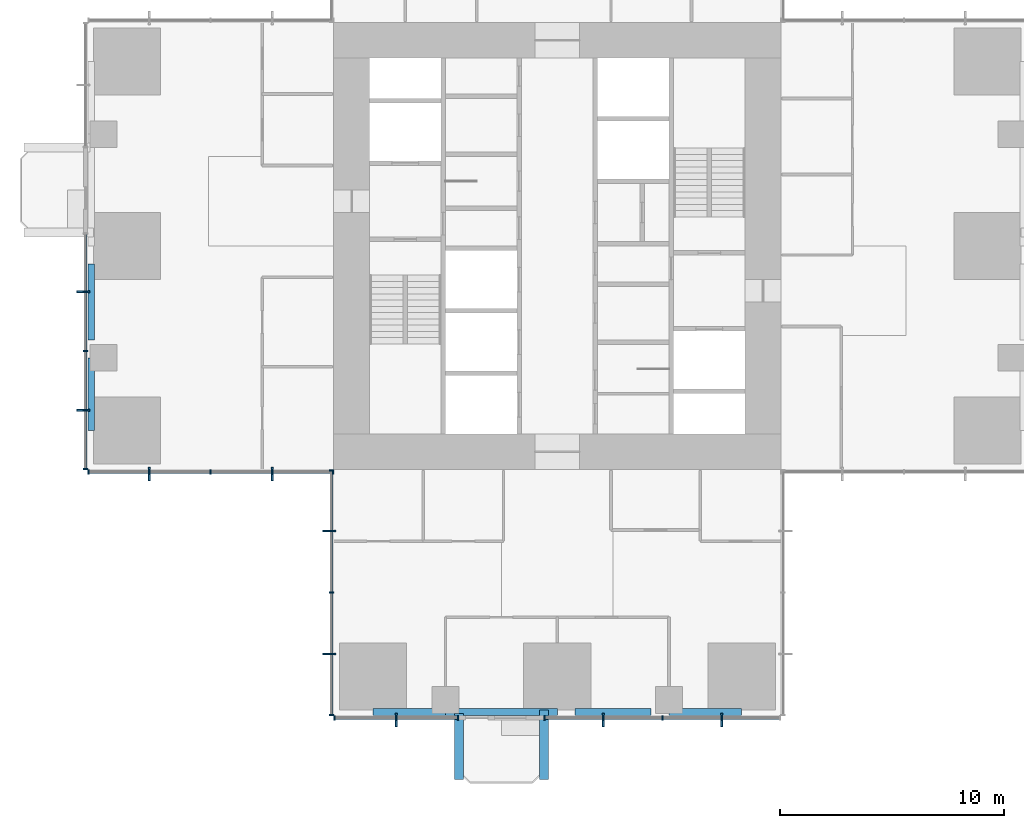
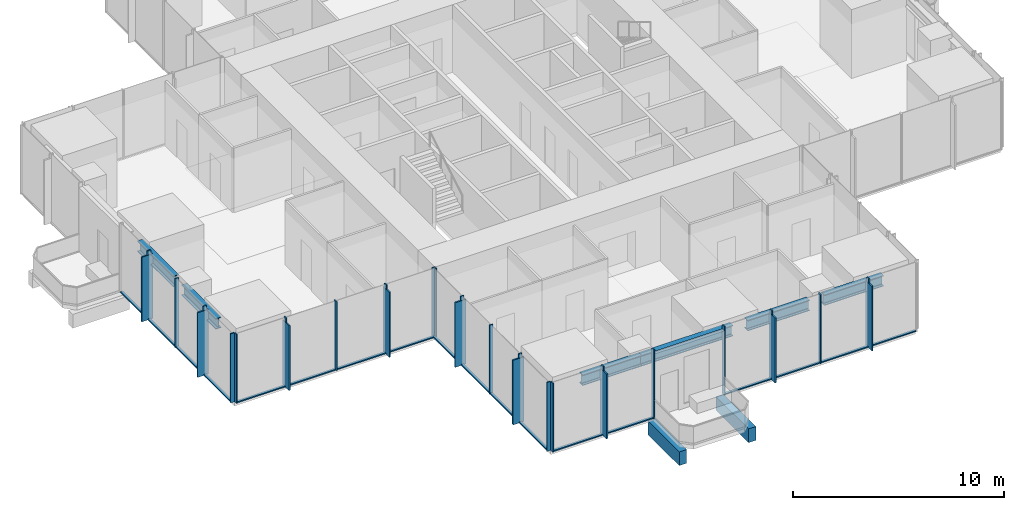
# One storey, part 2 of 13: 48 members, 8 beams, 5 elements without a shape of their own.
"""IFC4 building model written with IfcOpenShell, lengths in metres."""

from ifc_helpers import new_model, si_unit, direction, frame, origin, origin_2d, place, context, subcontext, project, spatial, rectangle, i_section, extrude, material, material_profile, profile_set, type_object, element, aggregate, save


model = new_model("IFC4")

# Units and contexts
model_context = context("Model", 3, precision=1e-05, world=origin(), true_north=direction((0.0, 1.0)))
body_context = subcontext(model_context, "Body", "Model", "MODEL_VIEW")
ifc_project = project(units=[si_unit("LENGTHUNIT", "METRE"), si_unit("AREAUNIT", "SQUARE_METRE"), si_unit("VOLUMEUNIT", "CUBIC_METRE"), si_unit("PLANEANGLEUNIT", "RADIAN"), si_unit("MASSUNIT", "GRAM", prefix="KILO")], contexts=[model_context])

# Site, building, storey
site_placement = place(None, origin())
site = spatial("IfcSite", under=ifc_project, at=site_placement, CompositionType="ELEMENT")
building_placement = place(site_placement, origin())
building = spatial("IfcBuilding", under=site, at=building_placement, Name="Svetlomir Tower", CompositionType="ELEMENT")
storey_placement = place(building_placement, frame((0.0, 0.0, 124.5)))
storey = spatial("IfcBuildingStorey", under=building, at=storey_placement, Name="L29", CompositionType="ELEMENT", Elevation=124.5)

# Beams
ifc_material_1 = material(Name="Concrete C60/75", Category="concrete")
ifc_material_profile_1 = material_profile(ifc_material_1, rectangle(XDim=0.39990234375, YDim=0.800048828125, at=origin_2d()), Name="RC 400x800")
ifc_profile_set_1 = profile_set([ifc_material_profile_1], Name="Concrete C60/75")
beam_type_1 = type_object("IfcBeamType", Name="BALCONY RIB RC 400x800", PredefinedType="BEAM", material=ifc_profile_set_1)
beam_1_placement = place(storey_placement, frame((16.60009765625, 0.10009765625, -0.64990234375), z_axis=(0.0, -1.0, 0.0), x_axis=(1.0, 0.0, 0.0)))
element("IfcBeam", 1, at=beam_1_placement, inside=storey, type_object=beam_type_1, Name="Balcony rib S 1 L29", PredefinedType="BEAM", context=body_context, shape_type="SweptSolid", body=[
    extrude(rectangle(XDim=0.39990234375, YDim=0.800048828125, at=origin_2d()), origin(), (0.0, 0.0, 1.0), 2.9501953125),
])
beam_2_placement = place(storey_placement, frame((20.39990234375, 0.25, -0.64990234375), z_axis=(0.0, -1.0, 0.0), x_axis=(1.0, 0.0, 0.0)))
element("IfcBeam", 2, at=beam_2_placement, inside=storey, type_object=beam_type_1, Name="Balcony rib S 2 L29", PredefinedType="BEAM", context=body_context, shape_type="SweptSolid", body=[
    extrude(rectangle(XDim=0.39990234375, YDim=0.800048828125, at=origin_2d()), origin(), (0.0, 0.0, 1.0), 3.10009765625),
])

# Curtain wall, member
ifc_material_2 = material(Name="Bronze anodised aluminium curtain wall", Category="aluminium")
curtain_wall_type = type_object("IfcCurtainWallType", Name="CURTAIN WALL CW1 TOWER OFFICE", PredefinedType="NOTDEFINED", material=ifc_material_2)
curtain_wall_1_placement = place(storey_placement, origin())
curtain_wall_1 = element("IfcCurtainWall", 3, at=curtain_wall_1_placement, inside=storey, type_object=curtain_wall_type, Name="Curtain wall CW1 L29", PredefinedType="NOTDEFINED")
ifc_material_3 = material(Name="Bronze anodised aluminium", Category="aluminium")
ifc_material_profile_2 = material_profile(ifc_material_3, rectangle(XDim=0.080078125, YDim=0.60009765625, at=origin_2d()), Name="FIN 80x600")
ifc_profile_set_2 = profile_set([ifc_material_profile_2], Name="Bronze anodised aluminium 6063-T6")
member_type_1 = type_object("IfcMemberType", Name="BRONZE FIN 80x600", PredefinedType="USERDEFINED", material=ifc_profile_set_2)
member_1_placement = place(storey_placement, frame((13.800048828125, -0.199951171875, 0.0), z_axis=(0.0, 0.0, 1.0), x_axis=(1.0, 0.0, 0.0)))
member_1 = element("IfcMember", 4, at=member_1_placement, type_object=member_type_1, Name="Bronze fin L29", ObjectType="FIN", PredefinedType="USERDEFINED", context=body_context, shape_type="SweptSolid", body=[
    extrude(rectangle(XDim=0.080078125, YDim=0.60009765625, at=origin_2d()), origin(), (0.0, 0.0, 1.0), 3.75),
])

# Curtain wall, members
curtain_wall_2_placement = place(storey_placement, origin())
curtain_wall_2 = element("IfcCurtainWall", 5, at=curtain_wall_2_placement, inside=storey, type_object=curtain_wall_type, Name="Curtain wall CW1 L29", PredefinedType="NOTDEFINED")
member_2_placement = place(storey_placement, frame((23.050048828125, -0.199951171875, 0.0), z_axis=(0.0, 0.0, 1.0), x_axis=(1.0, 0.0, 0.0)))
member_2 = element("IfcMember", 6, at=member_2_placement, type_object=member_type_1, Name="Bronze fin L29", ObjectType="FIN", PredefinedType="USERDEFINED", context=body_context, shape_type="SweptSolid", body=[
    extrude(rectangle(XDim=0.080078125, YDim=0.60009765625, at=origin_2d()), origin(), (0.0, 0.0, 1.0), 3.75),
])
member_3_placement = place(storey_placement, frame((28.35009765625, -0.199951171875, 0.0), z_axis=(0.0, 0.0, 1.0), x_axis=(1.0, 0.0, 0.0)))
member_3 = element("IfcMember", 7, at=member_3_placement, type_object=member_type_1, Name="Bronze fin L29", ObjectType="FIN", PredefinedType="USERDEFINED", context=body_context, shape_type="SweptSolid", body=[
    extrude(rectangle(XDim=0.080078125, YDim=0.60009765625, at=origin_2d()), origin(), (0.0, 0.0, 1.0), 3.75),
])

curtain_wall_3_placement = place(storey_placement, origin())
curtain_wall_3 = element("IfcCurtainWall", 8, at=curtain_wall_3_placement, inside=storey, type_object=curtain_wall_type, Name="Curtain wall CW1 L29", PredefinedType="NOTDEFINED")
member_4_placement = place(storey_placement, frame((-0.199951171875, 18.949951171875, 0.0), z_axis=(0.0, 0.0, 1.0), x_axis=(0.0, 1.0, 0.0)))
member_4 = element("IfcMember", 9, at=member_4_placement, type_object=member_type_1, Name="Bronze fin L29", ObjectType="FIN", PredefinedType="USERDEFINED", context=body_context, shape_type="SweptSolid", body=[
    extrude(rectangle(XDim=0.080078125, YDim=0.60009765625, at=origin_2d()), origin(), (0.0, 0.0, 1.0), 3.75),
])
member_5_placement = place(storey_placement, frame((-0.199951171875, 13.64990234375, 0.0), z_axis=(0.0, 0.0, 1.0), x_axis=(0.0, 1.0, 0.0)))
member_5 = element("IfcMember", 10, at=member_5_placement, type_object=member_type_1, Name="Bronze fin L29", ObjectType="FIN", PredefinedType="USERDEFINED", context=body_context, shape_type="SweptSolid", body=[
    extrude(rectangle(XDim=0.080078125, YDim=0.60009765625, at=origin_2d()), origin(), (0.0, 0.0, 1.0), 3.75),
])

curtain_wall_4_placement = place(storey_placement, origin())
curtain_wall_4 = element("IfcCurtainWall", 11, at=curtain_wall_4_placement, inside=storey, type_object=curtain_wall_type, Name="Curtain wall CW1 L29", PredefinedType="NOTDEFINED")
member_6_placement = place(storey_placement, frame((2.75, 10.800048828125, 0.0), z_axis=(0.0, 0.0, 1.0), x_axis=(1.0, 0.0, 0.0)))
member_6 = element("IfcMember", 12, at=member_6_placement, type_object=member_type_1, Name="Bronze fin L29", ObjectType="FIN", PredefinedType="USERDEFINED", context=body_context, shape_type="SweptSolid", body=[
    extrude(rectangle(XDim=0.080078125, YDim=0.60009765625, at=origin_2d()), origin(), (0.0, 0.0, 1.0), 3.75),
])
member_7_placement = place(storey_placement, frame((8.25, 10.800048828125, 0.0), z_axis=(0.0, 0.0, 1.0), x_axis=(1.0, 0.0, 0.0)))
member_7 = element("IfcMember", 13, at=member_7_placement, type_object=member_type_1, Name="Bronze fin L29", ObjectType="FIN", PredefinedType="USERDEFINED", context=body_context, shape_type="SweptSolid", body=[
    extrude(rectangle(XDim=0.080078125, YDim=0.60009765625, at=origin_2d()), origin(), (0.0, 0.0, 1.0), 3.75),
])

curtain_wall_5_placement = place(storey_placement, origin())
curtain_wall_5 = element("IfcCurtainWall", 14, at=curtain_wall_5_placement, inside=storey, type_object=curtain_wall_type, Name="Curtain wall CW1 L29", PredefinedType="NOTDEFINED")
member_8_placement = place(storey_placement, frame((10.800048828125, 8.25, 0.0), z_axis=(0.0, 0.0, 1.0), x_axis=(0.0, 1.0, 0.0)))
member_8 = element("IfcMember", 15, at=member_8_placement, type_object=member_type_1, Name="Bronze fin L29", ObjectType="FIN", PredefinedType="USERDEFINED", context=body_context, shape_type="SweptSolid", body=[
    extrude(rectangle(XDim=0.080078125, YDim=0.60009765625, at=origin_2d()), origin(), (0.0, 0.0, 1.0), 3.75),
])
member_9_placement = place(storey_placement, frame((10.800048828125, 2.75, 0.0), z_axis=(0.0, 0.0, 1.0), x_axis=(0.0, 1.0, 0.0)))
member_9 = element("IfcMember", 16, at=member_9_placement, type_object=member_type_1, Name="Bronze fin L29", ObjectType="FIN", PredefinedType="USERDEFINED", context=body_context, shape_type="SweptSolid", body=[
    extrude(rectangle(XDim=0.080078125, YDim=0.60009765625, at=origin_2d()), origin(), (0.0, 0.0, 1.0), 3.75),
])

# Member
ifc_material_4 = material(Name="Bronze anodised aluminium", Category="aluminium")
ifc_material_profile_3 = material_profile(ifc_material_4, rectangle(XDim=0.06494140625, YDim=0.199951171875, at=origin_2d()), Name="AL 65x200")
ifc_profile_set_3 = profile_set([ifc_material_profile_3], Name="Bronze anodised aluminium 6063-T6")
member_type_2 = type_object("IfcMemberType", Name="CW1 MULLION 65x200", PredefinedType="MULLION", material=ifc_profile_set_3)
member_10_placement = place(storey_placement, frame((11.032470703125, -0.10009765625, 0.0), z_axis=(0.0, 0.0, 1.0), x_axis=(1.0, 0.0, 0.0)))
member_10 = element("IfcMember", 17, at=member_10_placement, type_object=member_type_2, Name="CW1 mullion 1", PredefinedType="MULLION", context=body_context, shape_type="SweptSolid", body=[
    extrude(rectangle(XDim=0.06494140625, YDim=0.199951171875, at=origin_2d()), origin(), (0.0, 0.0, 1.0), 4.0),
])

member_11_placement = place(storey_placement, frame((13.800048828125, -0.10009765625, 0.0), z_axis=(0.0, 0.0, 1.0), x_axis=(1.0, 0.0, 0.0)))
member_11 = element("IfcMember", 18, at=member_11_placement, type_object=member_type_2, Name="CW1 mullion 2", PredefinedType="MULLION", context=body_context, shape_type="SweptSolid", body=[
    extrude(rectangle(XDim=0.06494140625, YDim=0.199951171875, at=origin_2d()), origin(), (0.0, 0.0, 1.0), 4.0),
])

member_12_placement = place(storey_placement, frame((16.5673828125, -0.10009765625, 0.0), z_axis=(0.0, 0.0, 1.0), x_axis=(1.0, 0.0, 0.0)))
member_12 = element("IfcMember", 19, at=member_12_placement, type_object=member_type_2, Name="CW1 mullion 3", PredefinedType="MULLION", context=body_context, shape_type="SweptSolid", body=[
    extrude(rectangle(XDim=0.06494140625, YDim=0.199951171875, at=origin_2d()), origin(), (0.0, 0.0, 1.0), 4.0),
])

member_13_placement = place(storey_placement, frame((20.4326171875, -0.10009765625, 0.0), z_axis=(0.0, 0.0, 1.0), x_axis=(1.0, 0.0, 0.0)))
member_13 = element("IfcMember", 20, at=member_13_placement, type_object=member_type_2, Name="CW1 mullion 1", PredefinedType="MULLION", context=body_context, shape_type="SweptSolid", body=[
    extrude(rectangle(XDim=0.06494140625, YDim=0.199951171875, at=origin_2d()), origin(), (0.0, 0.0, 1.0), 4.0),
])

member_14_placement = place(storey_placement, frame((23.050048828125, -0.10009765625, 0.0), z_axis=(0.0, 0.0, 1.0), x_axis=(1.0, 0.0, 0.0)))
member_14 = element("IfcMember", 21, at=member_14_placement, type_object=member_type_2, Name="CW1 mullion 2", PredefinedType="MULLION", context=body_context, shape_type="SweptSolid", body=[
    extrude(rectangle(XDim=0.06494140625, YDim=0.199951171875, at=origin_2d()), origin(), (0.0, 0.0, 1.0), 4.0),
])

member_15_placement = place(storey_placement, frame((25.699951171875, -0.10009765625, 0.0), z_axis=(0.0, 0.0, 1.0), x_axis=(1.0, 0.0, 0.0)))
member_15 = element("IfcMember", 22, at=member_15_placement, type_object=member_type_2, Name="CW1 mullion 3", PredefinedType="MULLION", context=body_context, shape_type="SweptSolid", body=[
    extrude(rectangle(XDim=0.06494140625, YDim=0.199951171875, at=origin_2d()), origin(), (0.0, 0.0, 1.0), 4.0),
])

member_16_placement = place(storey_placement, frame((28.35009765625, -0.10009765625, 0.0), z_axis=(0.0, 0.0, 1.0), x_axis=(1.0, 0.0, 0.0)))
member_16 = element("IfcMember", 23, at=member_16_placement, type_object=member_type_2, Name="CW1 mullion 4", PredefinedType="MULLION", context=body_context, shape_type="SweptSolid", body=[
    extrude(rectangle(XDim=0.06494140625, YDim=0.199951171875, at=origin_2d()), origin(), (0.0, 0.0, 1.0), 4.0),
])

member_17_placement = place(storey_placement, frame((-0.10009765625, 18.949951171875, 0.0), z_axis=(0.0, 0.0, 1.0), x_axis=(0.0, -1.0, 0.0)))
member_17 = element("IfcMember", 24, at=member_17_placement, type_object=member_type_2, Name="CW1 mullion 2", PredefinedType="MULLION", context=body_context, shape_type="SweptSolid", body=[
    extrude(rectangle(XDim=0.06494140625, YDim=0.199951171875, at=origin_2d()), origin(), (0.0, 0.0, 1.0), 4.0),
])

member_18_placement = place(storey_placement, frame((-0.10009765625, 16.300048828125, 0.0), z_axis=(0.0, 0.0, 1.0), x_axis=(0.0, -1.0, 0.0)))
member_18 = element("IfcMember", 25, at=member_18_placement, type_object=member_type_2, Name="CW1 mullion 3", PredefinedType="MULLION", context=body_context, shape_type="SweptSolid", body=[
    extrude(rectangle(XDim=0.06494140625, YDim=0.199951171875, at=origin_2d()), origin(), (0.0, 0.0, 1.0), 4.0),
])

member_19_placement = place(storey_placement, frame((-0.10009765625, 13.64990234375, 0.0), z_axis=(0.0, 0.0, 1.0), x_axis=(0.0, -1.0, 0.0)))
member_19 = element("IfcMember", 26, at=member_19_placement, type_object=member_type_2, Name="CW1 mullion 4", PredefinedType="MULLION", context=body_context, shape_type="SweptSolid", body=[
    extrude(rectangle(XDim=0.06494140625, YDim=0.199951171875, at=origin_2d()), origin(), (0.0, 0.0, 1.0), 4.0),
])

member_20_placement = place(storey_placement, frame((-0.10009765625, 11.032470703125, 0.0), z_axis=(0.0, 0.0, 1.0), x_axis=(0.0, -1.0, 0.0)))
member_20 = element("IfcMember", 27, at=member_20_placement, type_object=member_type_2, Name="CW1 mullion 5", PredefinedType="MULLION", context=body_context, shape_type="SweptSolid", body=[
    extrude(rectangle(XDim=0.06494140625, YDim=0.199951171875, at=origin_2d()), origin(), (0.0, 0.0, 1.0), 4.0),
])

member_21_placement = place(storey_placement, frame((0.032470703125, 10.89990234375, 0.0), z_axis=(0.0, 0.0, 1.0), x_axis=(1.0, 0.0, 0.0)))
member_21 = element("IfcMember", 28, at=member_21_placement, type_object=member_type_2, Name="CW1 mullion 1", PredefinedType="MULLION", context=body_context, shape_type="SweptSolid", body=[
    extrude(rectangle(XDim=0.06494140625, YDim=0.199951171875, at=origin_2d()), origin(), (0.0, 0.0, 1.0), 4.0),
])

member_22_placement = place(storey_placement, frame((2.75, 10.89990234375, 0.0), z_axis=(0.0, 0.0, 1.0), x_axis=(1.0, 0.0, 0.0)))
member_22 = element("IfcMember", 29, at=member_22_placement, type_object=member_type_2, Name="CW1 mullion 2", PredefinedType="MULLION", context=body_context, shape_type="SweptSolid", body=[
    extrude(rectangle(XDim=0.06494140625, YDim=0.199951171875, at=origin_2d()), origin(), (0.0, 0.0, 1.0), 4.0),
])

member_23_placement = place(storey_placement, frame((5.5, 10.89990234375, 0.0), z_axis=(0.0, 0.0, 1.0), x_axis=(1.0, 0.0, 0.0)))
member_23 = element("IfcMember", 30, at=member_23_placement, type_object=member_type_2, Name="CW1 mullion 3", PredefinedType="MULLION", context=body_context, shape_type="SweptSolid", body=[
    extrude(rectangle(XDim=0.06494140625, YDim=0.199951171875, at=origin_2d()), origin(), (0.0, 0.0, 1.0), 4.0),
])

member_24_placement = place(storey_placement, frame((8.25, 10.89990234375, 0.0), z_axis=(0.0, 0.0, 1.0), x_axis=(1.0, 0.0, 0.0)))
member_24 = element("IfcMember", 31, at=member_24_placement, type_object=member_type_2, Name="CW1 mullion 4", PredefinedType="MULLION", context=body_context, shape_type="SweptSolid", body=[
    extrude(rectangle(XDim=0.06494140625, YDim=0.199951171875, at=origin_2d()), origin(), (0.0, 0.0, 1.0), 4.0),
])

member_25_placement = place(storey_placement, frame((10.967529296875, 10.89990234375, 0.0), z_axis=(0.0, 0.0, 1.0), x_axis=(1.0, 0.0, 0.0)))
member_25 = element("IfcMember", 32, at=member_25_placement, type_object=member_type_2, Name="CW1 mullion 5", PredefinedType="MULLION", context=body_context, shape_type="SweptSolid", body=[
    extrude(rectangle(XDim=0.06494140625, YDim=0.199951171875, at=origin_2d()), origin(), (0.0, 0.0, 1.0), 4.0),
])

member_26_placement = place(storey_placement, frame((10.89990234375, 10.967529296875, 0.0), z_axis=(0.0, 0.0, 1.0), x_axis=(0.0, -1.0, 0.0)))
member_26 = element("IfcMember", 33, at=member_26_placement, type_object=member_type_2, Name="CW1 mullion 1", PredefinedType="MULLION", context=body_context, shape_type="SweptSolid", body=[
    extrude(rectangle(XDim=0.06494140625, YDim=0.199951171875, at=origin_2d()), origin(), (0.0, 0.0, 1.0), 4.0),
])

member_27_placement = place(storey_placement, frame((10.89990234375, 8.25, 0.0), z_axis=(0.0, 0.0, 1.0), x_axis=(0.0, -1.0, 0.0)))
member_27 = element("IfcMember", 34, at=member_27_placement, type_object=member_type_2, Name="CW1 mullion 2", PredefinedType="MULLION", context=body_context, shape_type="SweptSolid", body=[
    extrude(rectangle(XDim=0.06494140625, YDim=0.199951171875, at=origin_2d()), origin(), (0.0, 0.0, 1.0), 4.0),
])

member_28_placement = place(storey_placement, frame((10.89990234375, 5.5, 0.0), z_axis=(0.0, 0.0, 1.0), x_axis=(0.0, -1.0, 0.0)))
member_28 = element("IfcMember", 35, at=member_28_placement, type_object=member_type_2, Name="CW1 mullion 3", PredefinedType="MULLION", context=body_context, shape_type="SweptSolid", body=[
    extrude(rectangle(XDim=0.06494140625, YDim=0.199951171875, at=origin_2d()), origin(), (0.0, 0.0, 1.0), 4.0),
])

member_29_placement = place(storey_placement, frame((10.89990234375, 2.75, 0.0), z_axis=(0.0, 0.0, 1.0), x_axis=(0.0, -1.0, 0.0)))
member_29 = element("IfcMember", 36, at=member_29_placement, type_object=member_type_2, Name="CW1 mullion 4", PredefinedType="MULLION", context=body_context, shape_type="SweptSolid", body=[
    extrude(rectangle(XDim=0.06494140625, YDim=0.199951171875, at=origin_2d()), origin(), (0.0, 0.0, 1.0), 4.0),
])

member_30_placement = place(storey_placement, frame((10.89990234375, 0.032470703125, 0.0), z_axis=(0.0, 0.0, 1.0), x_axis=(0.0, -1.0, 0.0)))
member_30 = element("IfcMember", 37, at=member_30_placement, type_object=member_type_2, Name="CW1 mullion 5", PredefinedType="MULLION", context=body_context, shape_type="SweptSolid", body=[
    extrude(rectangle(XDim=0.06494140625, YDim=0.199951171875, at=origin_2d()), origin(), (0.0, 0.0, 1.0), 4.0),
])

ifc_material_5 = material(Name="Bronze anodised aluminium", Category="aluminium")
ifc_material_profile_4 = material_profile(ifc_material_5, rectangle(XDim=0.139892578125, YDim=0.06494140625, at=origin_2d()), Name="AL 140x65")
ifc_profile_set_4 = profile_set([ifc_material_profile_4], Name="Bronze anodised aluminium 6063-T6")
member_type_3 = type_object("IfcMemberType", Name="CW1 TRANSOM 65x140", PredefinedType="USERDEFINED", material=ifc_profile_set_4)
member_31_placement = place(storey_placement, frame((11.06494140625, -0.10009765625, 0.032470703125), z_axis=(1.0, 0.0, 0.0), x_axis=(0.0, 1.0, 0.0)))
member_31 = element("IfcMember", 38, at=member_31_placement, type_object=member_type_3, Name="CW1 transom 1.1", ObjectType="TRANSOM", PredefinedType="USERDEFINED", context=body_context, shape_type="SweptSolid", body=[
    extrude(rectangle(XDim=0.139892578125, YDim=0.06494140625, at=origin_2d()), origin(), (0.0, 0.0, 1.0), 2.70263671875),
])

member_32_placement = place(storey_placement, frame((13.83251953125, -0.10009765625, 0.032470703125), z_axis=(1.0, 0.0, 0.0), x_axis=(0.0, 1.0, 0.0)))
member_32 = element("IfcMember", 39, at=member_32_placement, type_object=member_type_3, Name="CW1 transom 2.1", ObjectType="TRANSOM", PredefinedType="USERDEFINED", context=body_context, shape_type="SweptSolid", body=[
    extrude(rectangle(XDim=0.139892578125, YDim=0.06494140625, at=origin_2d()), origin(), (0.0, 0.0, 1.0), 2.702392578125),
])

aggregate(curtain_wall_1, [member_10, member_11, member_12, member_31, member_32, member_1])

member_33_placement = place(storey_placement, frame((20.465087890625, -0.10009765625, 0.032470703125), z_axis=(1.0, 0.0, 0.0), x_axis=(0.0, 1.0, 0.0)))
member_33 = element("IfcMember", 40, at=member_33_placement, type_object=member_type_3, Name="CW1 transom 1.1", ObjectType="TRANSOM", PredefinedType="USERDEFINED", context=body_context, shape_type="SweptSolid", body=[
    extrude(rectangle(XDim=0.139892578125, YDim=0.06494140625, at=origin_2d()), origin(), (0.0, 0.0, 1.0), 2.552490234375),
])

member_34_placement = place(storey_placement, frame((23.08251953125, -0.10009765625, 0.032470703125), z_axis=(1.0, 0.0, 0.0), x_axis=(0.0, 1.0, 0.0)))
member_34 = element("IfcMember", 41, at=member_34_placement, type_object=member_type_3, Name="CW1 transom 2.1", ObjectType="TRANSOM", PredefinedType="USERDEFINED", context=body_context, shape_type="SweptSolid", body=[
    extrude(rectangle(XDim=0.139892578125, YDim=0.06494140625, at=origin_2d()), origin(), (0.0, 0.0, 1.0), 2.5849609375),
])

member_35_placement = place(storey_placement, frame((25.732421875, -0.10009765625, 0.032470703125), z_axis=(1.0, 0.0, 0.0), x_axis=(0.0, 1.0, 0.0)))
member_35 = element("IfcMember", 42, at=member_35_placement, type_object=member_type_3, Name="CW1 transom 3.1", ObjectType="TRANSOM", PredefinedType="USERDEFINED", context=body_context, shape_type="SweptSolid", body=[
    extrude(rectangle(XDim=0.139892578125, YDim=0.06494140625, at=origin_2d()), origin(), (0.0, 0.0, 1.0), 2.5849609375),
])

member_36_placement = place(storey_placement, frame((28.382568359375, -0.10009765625, 0.032470703125), z_axis=(1.0, 0.0, 0.0), x_axis=(0.0, 1.0, 0.0)))
member_36 = element("IfcMember", 43, at=member_36_placement, type_object=member_type_3, Name="CW1 transom 4.1", ObjectType="TRANSOM", PredefinedType="USERDEFINED", context=body_context, shape_type="SweptSolid", body=[
    extrude(rectangle(XDim=0.139892578125, YDim=0.06494140625, at=origin_2d()), origin(), (0.0, 0.0, 1.0), 2.552490234375),
])

aggregate(curtain_wall_2, [member_13, member_14, member_15, member_16, member_33, member_34, member_35, member_36, member_2, member_3])

member_37_placement = place(storey_placement, frame((-0.10009765625, 21.534912109375, 0.032470703125), z_axis=(0.0, -1.0, 0.0), x_axis=(1.0, 0.0, 0.0)))
member_37 = element("IfcMember", 44, at=member_37_placement, type_object=member_type_3, Name="CW1 transom 1.1", ObjectType="TRANSOM", PredefinedType="USERDEFINED", context=body_context, shape_type="SweptSolid", body=[
    extrude(rectangle(XDim=0.139892578125, YDim=0.06494140625, at=origin_2d()), origin(), (0.0, 0.0, 1.0), 2.552490234375),
])

member_38_placement = place(storey_placement, frame((-0.10009765625, 18.91748046875, 0.032470703125), z_axis=(0.0, -1.0, 0.0), x_axis=(1.0, 0.0, 0.0)))
member_38 = element("IfcMember", 45, at=member_38_placement, type_object=member_type_3, Name="CW1 transom 2.1", ObjectType="TRANSOM", PredefinedType="USERDEFINED", context=body_context, shape_type="SweptSolid", body=[
    extrude(rectangle(XDim=0.139892578125, YDim=0.06494140625, at=origin_2d()), origin(), (0.0, 0.0, 1.0), 2.5849609375),
])

member_39_placement = place(storey_placement, frame((-0.10009765625, 16.267578125, 0.032470703125), z_axis=(0.0, -1.0, 0.0), x_axis=(1.0, 0.0, 0.0)))
member_39 = element("IfcMember", 46, at=member_39_placement, type_object=member_type_3, Name="CW1 transom 3.1", ObjectType="TRANSOM", PredefinedType="USERDEFINED", context=body_context, shape_type="SweptSolid", body=[
    extrude(rectangle(XDim=0.139892578125, YDim=0.06494140625, at=origin_2d()), origin(), (0.0, 0.0, 1.0), 2.5849609375),
])

member_40_placement = place(storey_placement, frame((-0.10009765625, 13.617431640625, 0.032470703125), z_axis=(0.0, -1.0, 0.0), x_axis=(1.0, 0.0, 0.0)))
member_40 = element("IfcMember", 47, at=member_40_placement, type_object=member_type_3, Name="CW1 transom 4.1", ObjectType="TRANSOM", PredefinedType="USERDEFINED", context=body_context, shape_type="SweptSolid", body=[
    extrude(rectangle(XDim=0.139892578125, YDim=0.06494140625, at=origin_2d()), origin(), (0.0, 0.0, 1.0), 2.552490234375),
])

aggregate(curtain_wall_3, [member_17, member_18, member_19, member_20, member_37, member_38, member_39, member_40, member_4, member_5])

member_41_placement = place(storey_placement, frame((0.06494140625, 10.89990234375, 0.032470703125), z_axis=(1.0, 0.0, 0.0), x_axis=(0.0, 1.0, 0.0)))
member_41 = element("IfcMember", 48, at=member_41_placement, type_object=member_type_3, Name="CW1 transom 1.1", ObjectType="TRANSOM", PredefinedType="USERDEFINED", context=body_context, shape_type="SweptSolid", body=[
    extrude(rectangle(XDim=0.139892578125, YDim=0.06494140625, at=origin_2d()), origin(), (0.0, 0.0, 1.0), 2.652587890625),
])

member_42_placement = place(storey_placement, frame((2.782470703125, 10.89990234375, 0.032470703125), z_axis=(1.0, 0.0, 0.0), x_axis=(0.0, 1.0, 0.0)))
member_42 = element("IfcMember", 49, at=member_42_placement, type_object=member_type_3, Name="CW1 transom 2.1", ObjectType="TRANSOM", PredefinedType="USERDEFINED", context=body_context, shape_type="SweptSolid", body=[
    extrude(rectangle(XDim=0.139892578125, YDim=0.06494140625, at=origin_2d()), origin(), (0.0, 0.0, 1.0), 2.68505859375),
])

member_43_placement = place(storey_placement, frame((5.532470703125, 10.89990234375, 0.032470703125), z_axis=(1.0, 0.0, 0.0), x_axis=(0.0, 1.0, 0.0)))
member_43 = element("IfcMember", 50, at=member_43_placement, type_object=member_type_3, Name="CW1 transom 3.1", ObjectType="TRANSOM", PredefinedType="USERDEFINED", context=body_context, shape_type="SweptSolid", body=[
    extrude(rectangle(XDim=0.139892578125, YDim=0.06494140625, at=origin_2d()), origin(), (0.0, 0.0, 1.0), 2.68505859375),
])

member_44_placement = place(storey_placement, frame((8.282470703125, 10.89990234375, 0.032470703125), z_axis=(1.0, 0.0, 0.0), x_axis=(0.0, 1.0, 0.0)))
member_44 = element("IfcMember", 51, at=member_44_placement, type_object=member_type_3, Name="CW1 transom 4.1", ObjectType="TRANSOM", PredefinedType="USERDEFINED", context=body_context, shape_type="SweptSolid", body=[
    extrude(rectangle(XDim=0.139892578125, YDim=0.06494140625, at=origin_2d()), origin(), (0.0, 0.0, 1.0), 2.652587890625),
])

aggregate(curtain_wall_4, [member_21, member_22, member_23, member_24, member_25, member_41, member_42, member_43, member_44, member_6, member_7])

member_45_placement = place(storey_placement, frame((10.89990234375, 10.93505859375, 0.032470703125), z_axis=(0.0, -1.0, 0.0), x_axis=(1.0, 0.0, 0.0)))
member_45 = element("IfcMember", 52, at=member_45_placement, type_object=member_type_3, Name="CW1 transom 1.1", ObjectType="TRANSOM", PredefinedType="USERDEFINED", context=body_context, shape_type="SweptSolid", body=[
    extrude(rectangle(XDim=0.139892578125, YDim=0.06494140625, at=origin_2d()), origin(), (0.0, 0.0, 1.0), 2.652587890625),
])

member_46_placement = place(storey_placement, frame((10.89990234375, 8.217529296875, 0.032470703125), z_axis=(0.0, -1.0, 0.0), x_axis=(1.0, 0.0, 0.0)))
member_46 = element("IfcMember", 53, at=member_46_placement, type_object=member_type_3, Name="CW1 transom 2.1", ObjectType="TRANSOM", PredefinedType="USERDEFINED", context=body_context, shape_type="SweptSolid", body=[
    extrude(rectangle(XDim=0.139892578125, YDim=0.06494140625, at=origin_2d()), origin(), (0.0, 0.0, 1.0), 2.68505859375),
])

member_47_placement = place(storey_placement, frame((10.89990234375, 5.467529296875, 0.032470703125), z_axis=(0.0, -1.0, 0.0), x_axis=(1.0, 0.0, 0.0)))
member_47 = element("IfcMember", 54, at=member_47_placement, type_object=member_type_3, Name="CW1 transom 3.1", ObjectType="TRANSOM", PredefinedType="USERDEFINED", context=body_context, shape_type="SweptSolid", body=[
    extrude(rectangle(XDim=0.139892578125, YDim=0.06494140625, at=origin_2d()), origin(), (0.0, 0.0, 1.0), 2.68505859375),
])

member_48_placement = place(storey_placement, frame((10.89990234375, 2.717529296875, 0.032470703125), z_axis=(0.0, -1.0, 0.0), x_axis=(1.0, 0.0, 0.0)))
member_48 = element("IfcMember", 55, at=member_48_placement, type_object=member_type_3, Name="CW1 transom 4.1", ObjectType="TRANSOM", PredefinedType="USERDEFINED", context=body_context, shape_type="SweptSolid", body=[
    extrude(rectangle(XDim=0.139892578125, YDim=0.06494140625, at=origin_2d()), origin(), (0.0, 0.0, 1.0), 2.652587890625),
])

aggregate(curtain_wall_5, [member_26, member_27, member_28, member_29, member_30, member_45, member_46, member_47, member_48, member_8, member_9])

# Beams
ifc_material_6 = material(Name="Steel S355", Category="steel")
ifc_material_profile_5 = material_profile(ifc_material_6, i_section(OverallWidth=0.304931640625, OverallDepth=0.6201171875, WebThickness=0.02099609375, FlangeThickness=0.0400390625, FilletRadius=0.027099609375, at=origin_2d()), Name="HEM 600")
ifc_profile_set_5 = profile_set([ifc_material_profile_5], Name="Steel S355")
beam_type_2 = type_object("IfcBeamType", Name="EDGE BEAM HEM 600", PredefinedType="SPANDREL", material=ifc_profile_set_5)
for number, where, z_axis, x_axis, name in (
    (56, (12.75, 0.152587890625, 3.43994140625), (1.0, 0.0, 0.0), (0.0, 1.0, 0.0), "Edge beam 11/0 to 16/0 under L30"),
    (57, (0.152587890625, 12.75, 3.43994140625), (0.0, 1.0, 0.0), (-1.0, 0.0, 0.0), "Edge beam 0/11 to 0/16 under L30"),
):
    element("IfcBeam", number, at=place(storey_placement, frame(where, z_axis=z_axis, x_axis=x_axis)), inside=storey, type_object=beam_type_2, Name=name, PredefinedType="SPANDREL", context=body_context, shape_type="SweptSolid", body=[
        extrude(i_section(OverallWidth=0.304931640625, OverallDepth=0.6201171875, WebThickness=0.02099609375, FlangeThickness=0.0400390625, FilletRadius=0.027099609375, at=origin_2d()), origin(), (0.0, 0.0, 1.0), 3.25),
    ])
beam_3_placement = place(storey_placement, frame((16.0, 0.152587890625, 3.43994140625), z_axis=(1.0, 0.0, 0.0), x_axis=(0.0, 1.0, 0.0)))
element("IfcBeam", 58, at=beam_3_placement, inside=storey, type_object=beam_type_2, Name="Edge beam 16/0 to 21/0 under L30", PredefinedType="SPANDREL", context=body_context, shape_type="SweptSolid", body=[
    extrude(i_section(OverallWidth=0.304931640625, OverallDepth=0.6201171875, WebThickness=0.02099609375, FlangeThickness=0.0400390625, FilletRadius=0.027099609375, at=origin_2d()), origin(), (0.0, 0.0, 1.0), 5.0),
])
for number, where, z_axis, x_axis, name in (
    (59, (0.152587890625, 16.800048828125, 3.43994140625), (0.0, 1.0, 0.0), (-1.0, 0.0, 0.0), "Edge beam 0/16 to 0/21 under L30"),
    (60, (21.800048828125, 0.152587890625, 3.43994140625), (1.0, 0.0, 0.0), (0.0, 1.0, 0.0), "Edge beam 21/0 to 26/0 under L30"),
):
    element("IfcBeam", number, at=place(storey_placement, frame(where, z_axis=z_axis, x_axis=x_axis)), inside=storey, type_object=beam_type_2, Name=name, PredefinedType="SPANDREL", context=body_context, shape_type="SweptSolid", body=[
        extrude(i_section(OverallWidth=0.304931640625, OverallDepth=0.6201171875, WebThickness=0.02099609375, FlangeThickness=0.0400390625, FilletRadius=0.027099609375, at=origin_2d()), origin(), (0.0, 0.0, 1.0), 3.39990234375),
    ])
beam_4_placement = place(storey_placement, frame((26.0, 0.152587890625, 3.43994140625), z_axis=(1.0, 0.0, 0.0), x_axis=(0.0, 1.0, 0.0)))
element("IfcBeam", 61, at=beam_4_placement, inside=storey, type_object=beam_type_2, Name="Edge beam 26/0 to 31/0 under L30", PredefinedType="SPANDREL", context=body_context, shape_type="SweptSolid", body=[
    extrude(i_section(OverallWidth=0.304931640625, OverallDepth=0.6201171875, WebThickness=0.02099609375, FlangeThickness=0.0400390625, FilletRadius=0.027099609375, at=origin_2d()), origin(), (0.0, 0.0, 1.0), 3.25),
])

save(model, "model.ifc")
